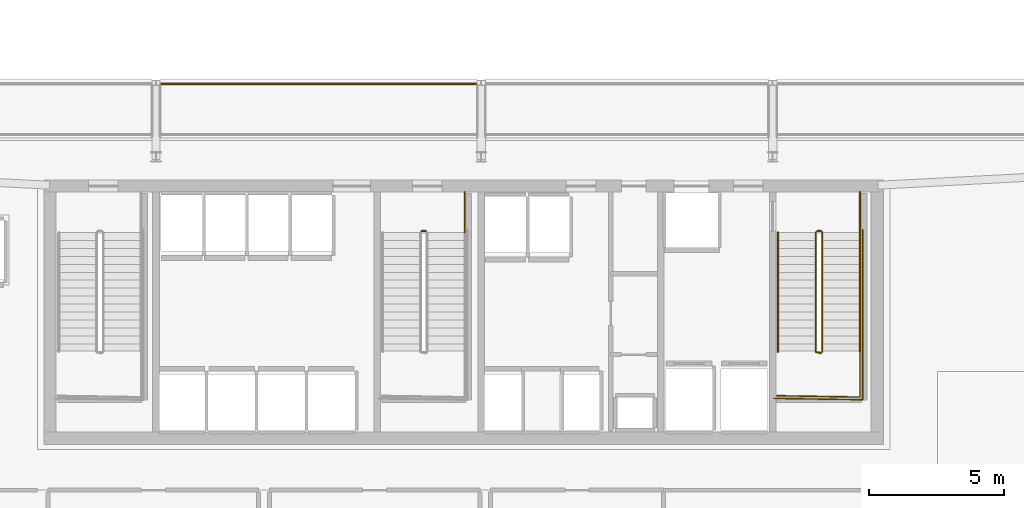
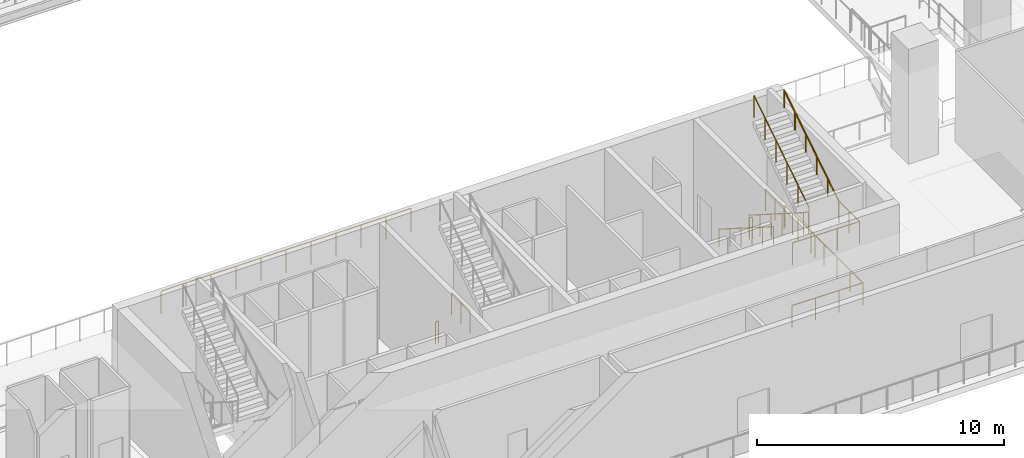
# One storey, part 19 of 28: 11 railings.
"""IFC4 building model written with IfcOpenShell, lengths in metres."""

import ifcopenshell
import ifcopenshell.guid

model = None  # the IFC model being written
_history = None  # IfcOwnerHistory: only IFC2X3 demands one
_inside = {}  # id of a spatial element -> (the spatial element, [elements in it])
_under = {}  # id of a project, library or spatial element -> (it, [spatial elements below it])
_declared = {}  # id of a project -> (the project, [libraries it declares])
_typed = {}  # id of a type object -> (the type object, [elements of that type])
_made_of = {}  # id of a material, layer set ... -> (it, [elements and type objects made of it])


def new_model(schema):
    """Start an empty IFC model of exactly this schema.

    Asked for "IFC4X3", IfcOpenShell would pick the latest addendum, in which some entities
    have other attributes; the version numbers below select the first issue.
    IFC2X3 requires an IfcOwnerHistory on every rooted entity: one is made here for all.
    """
    global model, _history
    if schema == "IFC4X3":
        model = ifcopenshell.file(schema_version=(4, 3, 0, 0))
    else:
        model = ifcopenshell.file(schema=schema)
    _inside.clear()
    _under.clear()
    _declared.clear()
    _typed.clear()
    _made_of.clear()
    _history = None
    if model.schema == "IFC2X3":
        org = make("IfcOrganization", Name="unknown")
        user = make(
            "IfcPersonAndOrganization",
            ThePerson=make("IfcPerson", FamilyName="unknown"),
            TheOrganization=org,
        )
        app = make(
            "IfcApplication",
            ApplicationDeveloper=org,
            Version="unknown",
            ApplicationFullName="unknown",
            ApplicationIdentifier="unknown",
        )
        _history = make(
            "IfcOwnerHistory",
            OwningUser=user,
            OwningApplication=app,
            ChangeAction="ADDED",
            CreationDate=0,
        )
    return model


def make(cls, **values):
    """One entity of the class cls with the attributes given. An attribute that is None is left unset."""
    return model.create_entity(
        cls, **{name: value for name, value in values.items() if value is not None}
    )


def rooted(cls, **values):
    """An entity with a GlobalId (a new one), such as an element, a storey or a relation."""
    return make(cls, GlobalId=ifcopenshell.guid.new(), OwnerHistory=_history, **values)


def si_unit(unit_type, name, prefix=None):
    """IfcSIUnit, for example si_unit("LENGTHUNIT", "METRE", prefix="MILLI")."""
    return make("IfcSIUnit", UnitType=unit_type, Prefix=prefix, Name=name)


def assignment(units):
    """IfcUnitAssignment: the units of a project."""
    return None if units is None else make("IfcUnitAssignment", Units=units)


def point(xyz):
    """IfcCartesianPoint."""
    return None if xyz is None else make("IfcCartesianPoint", Coordinates=xyz)


def direction(xyz):
    """IfcDirection."""
    return None if xyz is None else make("IfcDirection", DirectionRatios=xyz)


def frame(location, z_axis=None, x_axis=None):
    """IfcAxis2Placement3D, a coordinate frame: its origin and axes. An axis left out is left unset."""
    return make(
        "IfcAxis2Placement3D",
        Location=point(location),
        Axis=direction(z_axis),
        RefDirection=direction(x_axis),
    )


def frame_2d(location, x_axis=None):
    """IfcAxis2Placement2D, a coordinate frame in the plane: its origin and x axis."""
    return make(
        "IfcAxis2Placement2D", Location=point(location), RefDirection=direction(x_axis)
    )


def origin():
    """The frame at (0, 0, 0) with its axes left unset."""
    return frame((0.0, 0.0, 0.0))


def origin_2d():
    """The frame at (0, 0) in the plane with its x axis left unset."""
    return frame_2d((0.0, 0.0))


def place(relative_to, where):
    """IfcLocalPlacement: puts the frame where relative to a parent placement (None: the world)."""
    return make(
        "IfcLocalPlacement", PlacementRelTo=relative_to, RelativePlacement=where
    )


def context(
    kind, dimensions, precision=None, world=None, true_north=None, identifier=None
):
    """IfcGeometricRepresentationContext, for example the 3D "Model" context."""
    return make(
        "IfcGeometricRepresentationContext",
        ContextIdentifier=identifier,
        ContextType=kind,
        CoordinateSpaceDimension=dimensions,
        Precision=precision,
        WorldCoordinateSystem=world,
        TrueNorth=true_north,
    )


def subcontext(parent, identifier, kind, view, scale=None):
    """IfcGeometricRepresentationSubContext, for example "Body" below "Model"."""
    return make(
        "IfcGeometricRepresentationSubContext",
        ContextIdentifier=identifier,
        ContextType=kind,
        ParentContext=parent,
        TargetScale=scale,
        TargetView=view,
    )


def project(units=None, contexts=None):
    """IfcProject with its units and contexts."""
    return rooted(
        "IfcProject",
        Name="project",
        RepresentationContexts=contexts,
        UnitsInContext=assignment(units),
    )


def spatial(cls, under=None, at=None, **own):
    """A site, building, storey or space (cls), placed at a placement, below another one or the project."""
    s = rooted(cls, ObjectPlacement=at, **own)
    if under is not None:
        _under.setdefault(under.id(), (under, []))[1].append(s)
    return s


def profile(cls, at=None, kind="AREA", **sizes):
    """A parametric profile (cls). Its sizes go by their IFC names, for example OverallWidth=200.0."""
    return make(cls, ProfileType=kind, Position=at, **sizes)


def circle(**sizes):
    """IfcCircleProfileDef."""
    return profile("IfcCircleProfileDef", **sizes)


def extrude(swept, where, along, depth):
    """IfcExtrudedAreaSolid: the profile swept, set in the frame where, extruded along a direction by depth."""
    return make(
        "IfcExtrudedAreaSolid",
        SweptArea=swept,
        Position=where,
        ExtrudedDirection=direction(along),
        Depth=depth,
    )


def shape(context_of_items, identifier, shape_type, items):
    """IfcShapeRepresentation: the items that make up one representation, for example the "Body"."""
    return make(
        "IfcShapeRepresentation",
        ContextOfItems=context_of_items,
        RepresentationIdentifier=identifier,
        RepresentationType=shape_type,
        Items=items,
    )


def material(Name=None, Category=None):
    """IfcMaterial."""
    return make("IfcMaterial", Name=Name, Category=Category)


def layer(
    of_material, thickness, ventilated=None, Name=None, Category=None, Priority=None
):
    """IfcMaterialLayer: one layer of a wall or slab, of a material (None: an air gap)."""
    return make(
        "IfcMaterialLayer",
        Material=of_material,
        LayerThickness=thickness,
        IsVentilated=ventilated,
        Name=Name,
        Category=Category,
        Priority=Priority,
    )


def layer_set(layers, Name=None):
    """IfcMaterialLayerSet."""
    return make("IfcMaterialLayerSet", MaterialLayers=layers, LayerSetName=Name)


def made_of(thing, what):
    """Note that an element or type object is made of a material, layer set ...; save() writes the relation."""
    if what is not None:
        _made_of.setdefault(what.id(), (what, []))[1].append(thing)
    return thing


def type_object(cls, material=None, **own):
    """A type object (cls), such as IfcWallType, which elements share."""
    return made_of(rooted(cls, **own), material)


def element(
    cls,
    number,
    at=None,
    inside=None,
    cuts=None,
    type_object=None,
    material=None,
    context=None,
    identifier="Body",
    shape_type=None,
    held_by="IfcProductDefinitionShape",
    body=None,
    shapes=None,
    **own,
):
    """One element of the class cls, such as IfcWall. Its Tag is "e" and its number.

    at: its placement. inside: the storey or other place that contains it. cuts: it is an
    opening in that element (IfcRelVoidsElement). A single representation is given by context,
    identifier, shape_type and body (its items); several are given by shapes. held_by: the class
    of the entity that holds the representations. save() writes the other relations.
    """
    e = rooted(cls, Tag="e%d" % number, ObjectPlacement=at, **own)
    if body is not None:
        shapes = [shape(context, identifier, shape_type, body)]
    if shapes is not None:
        e.Representation = make(held_by, Representations=shapes)
    if inside is not None:
        _inside.setdefault(inside.id(), (inside, []))[1].append(e)
    if cuts is not None:
        rooted(
            "IfcRelVoidsElement", RelatingBuildingElement=cuts, RelatedOpeningElement=e
        )
    if type_object is not None:
        _typed.setdefault(type_object.id(), (type_object, []))[1].append(e)
    return made_of(e, material)


def aggregate(whole, parts):
    """IfcRelAggregates: a whole, such as a stair, and the parts it consists of."""
    return rooted("IfcRelAggregates", RelatingObject=whole, RelatedObjects=parts)


def save(model, path):
    """Write the relations noted so far, then the file.

    IfcRelAggregates (storeys below a building ...), IfcRelContainedInSpatialStructure (elements
    in a storey), IfcRelDefinesByType, IfcRelAssociatesMaterial and IfcRelDeclares: one each for
    every whole, place, type object, material and project.
    """
    for whole, parts in _under.values():
        aggregate(whole, parts)
    for where, things in _inside.values():
        rooted(
            "IfcRelContainedInSpatialStructure",
            RelatedElements=things,
            RelatingStructure=where,
        )
    for kind, things in _typed.values():
        rooted("IfcRelDefinesByType", RelatedObjects=things, RelatingType=kind)
    for what, things in _made_of.values():
        rooted("IfcRelAssociatesMaterial", RelatedObjects=things, RelatingMaterial=what)
    for by, libraries in _declared.values():
        rooted("IfcRelDeclares", RelatingContext=by, RelatedDefinitions=libraries)
    model.write(path)


model = new_model("IFC4")

# Units and contexts
model_context = context("Model", 3, precision=1e-05, world=origin(), true_north=direction((0.0, 1.0)))
body_context = subcontext(model_context, "Body", "Model", "MODEL_VIEW")
ifc_project = project(units=[si_unit("LENGTHUNIT", "METRE"), si_unit("AREAUNIT", "SQUARE_METRE"), si_unit("VOLUMEUNIT", "CUBIC_METRE"), si_unit("PLANEANGLEUNIT", "RADIAN"), si_unit("MASSUNIT", "GRAM", prefix="KILO")], contexts=[model_context])

# Site, building, storey
site_placement = place(None, origin())
site = spatial("IfcSite", under=ifc_project, at=site_placement, CompositionType="ELEMENT")
building_placement = place(site_placement, origin())
building = spatial("IfcBuilding", under=site, at=building_placement, Name="Ndaravel Arena Tower", CompositionType="ELEMENT")
storey_placement = place(building_placement, frame((0.0, 0.0, 18.0)))
storey = spatial("IfcBuildingStorey", under=building, at=storey_placement, Name="L03", CompositionType="ELEMENT", Elevation=18.0)

# Railings
ifc_material_1 = material(Name="Steel S355", Category="steel")
ifc_layer_1 = layer(ifc_material_1, 0.06005859375)
ifc_layer_set_1 = layer_set([ifc_layer_1], Name="Steel S355")
railing_type_1 = type_object("IfcRailingType", Name="RAIL-STAIR-GD1100", PredefinedType="GUARDRAIL", material=ifc_layer_set_1)
railing_1_placement = place(storey_placement, frame((40.449951171875, 13.300048828125, 0.0)))
element("IfcRailing", 1, at=railing_1_placement, inside=storey, type_object=railing_type_1, Name="L03 ST-2 stair guard 4", PredefinedType="GUARDRAIL", context=body_context, shape_type="SweptSolid", body=[
    extrude(circle(Radius=0.02392578125, at=origin_2d()), frame((0.0, 0.0, 1.076171875), z_axis=(1.0, 0.0, 0.0), x_axis=(0.0, 1.0, 0.0)), (0.0, 0.0, 1.0), 0.14013671875),
    extrude(circle(Radius=0.02099609375, at=origin_2d()), origin(), (0.0, 0.0, 1.0), 1.052001953125),
    extrude(circle(Radius=0.02099609375, at=origin_2d()), frame((0.14013671875, 0.0, 0.0)), (0.0, 0.0, 1.0), 1.052001953125),
])
railing_2_placement = place(storey_placement, frame((42.0400390625, 14.75, 0.0)))
element("IfcRailing", 2, at=railing_2_placement, inside=storey, type_object=railing_type_1, Name="L03 ST-2 stair guard 5", PredefinedType="GUARDRAIL", context=body_context, shape_type="SweptSolid", body=[
    extrude(circle(Radius=0.02392578125, at=origin_2d()), frame((0.0, 0.0, 1.076171875), z_axis=(0.0, -1.0, 0.0), x_axis=(1.0, 0.0, 0.0)), (0.0, 0.0, 1.0), 1.5),
    extrude(circle(Radius=0.02099609375, at=origin_2d()), origin(), (0.0, 0.0, 1.0), 1.052001953125),
    extrude(circle(Radius=0.02099609375, at=origin_2d()), frame((0.0, -0.75, 0.0)), (0.0, 0.0, 1.0), 1.052001953125),
    extrude(circle(Radius=0.02099609375, at=origin_2d()), frame((0.0, -1.5, 0.0)), (0.0, 0.0, 1.0), 1.052001953125),
])
railing_3_placement = place(storey_placement, frame((55.050048828125, 13.25, 0.1875)))
element("IfcRailing", 3, at=railing_3_placement, inside=storey, type_object=railing_type_1, Name="L03 ST-3 stair guard 1", PredefinedType="GUARDRAIL", context=body_context, shape_type="SweptSolid", body=[
    extrude(circle(Radius=0.02392578125, at=origin_2d()), frame((0.0, 0.0, 1.076171875), z_axis=(0.0, -0.843958541447, 0.536408408136), x_axis=(1.0, 0.0, 0.0)), (0.0, 0.0, 1.0), 5.2431640625),
    extrude(circle(Radius=0.02392578125, at=origin_2d()), frame((0.0, -4.425048828125, 3.888671875), z_axis=(0.966993988697, -0.254799187253, 0.0), x_axis=(0.254799187253, 0.966993988697, 0.0)), (0.0, 0.0, 1.0), 0.196533203125),
    extrude(circle(Radius=0.02099609375, at=origin_2d()), origin(), (0.0, 0.0, 1.0), 1.052001953125),
    extrude(circle(Radius=0.02099609375, at=origin_2d()), frame((0.0, -0.885009765625, 0.5625)), (0.0, 0.0, 1.0), 1.052001953125),
    extrude(circle(Radius=0.02099609375, at=origin_2d()), frame((0.0, -1.77001953125, 1.125)), (0.0, 0.0, 1.0), 1.052001953125),
    extrude(circle(Radius=0.02099609375, at=origin_2d()), frame((0.0, -2.655029296875, 1.6875)), (0.0, 0.0, 1.0), 1.052001953125),
    extrude(circle(Radius=0.02099609375, at=origin_2d()), frame((0.0, -3.5400390625, 2.25)), (0.0, 0.0, 1.0), 1.052001953125),
    extrude(circle(Radius=0.02099609375, at=origin_2d()), frame((0.0, -4.425048828125, 2.8125)), (0.0, 0.0, 1.0), 1.052001953125),
    extrude(circle(Radius=0.02099609375, at=origin_2d()), frame((0.18994140625, -4.47509765625, 2.8125)), (0.0, 0.0, 1.0), 1.052001953125),
])
railing_4_placement = place(storey_placement, frame((56.68994140625, 8.824951171875, 3.0)))
element("IfcRailing", 4, at=railing_4_placement, inside=storey, type_object=railing_type_1, Name="L03 ST-3 stair guard 2", PredefinedType="GUARDRAIL", context=body_context, shape_type="SweptSolid", body=[
    extrude(circle(Radius=0.02392578125, at=origin_2d()), frame((0.0, 0.0, 1.076171875), z_axis=(0.0, -1.0, 0.0), x_axis=(1.0, 0.0, 0.0)), (0.0, 0.0, 1.0), 1.675048828125),
    extrude(circle(Radius=0.02392578125, at=origin_2d()), frame((0.0, -1.675048828125, 1.076171875), z_axis=(-0.999868840623, 0.016195726322, 0.0), x_axis=(-0.016195726322, -0.999868840623, 0.0)), (0.0, 0.0, 1.0), 3.09033203125),
    extrude(circle(Radius=0.02099609375, at=origin_2d()), origin(), (0.0, 0.0, 1.0), 1.052001953125),
    extrude(circle(Radius=0.02099609375, at=origin_2d()), frame((0.0, -0.83740234375, 0.0)), (0.0, 0.0, 1.0), 1.052001953125),
    extrude(circle(Radius=0.02099609375, at=origin_2d()), frame((0.0, -1.675048828125, 0.0)), (0.0, 0.0, 1.0), 1.052001953125),
    extrude(circle(Radius=0.02099609375, at=origin_2d()), frame((-1.030029296875, -1.658447265625, 0.0)), (0.0, 0.0, 1.0), 1.052001953125),
    extrude(circle(Radius=0.02099609375, at=origin_2d()), frame((-2.059814453125, -1.6416015625, 0.0)), (0.0, 0.0, 1.0), 1.052001953125),
    extrude(circle(Radius=0.02099609375, at=origin_2d()), frame((-3.08984375, -1.625, 0.0)), (0.0, 0.0, 1.0), 1.052001953125),
])
railing_5_placement = place(storey_placement, frame((55.2900390625, 8.824951171875, 3.1875)))
element("IfcRailing", 5, at=railing_5_placement, inside=storey, type_object=railing_type_1, Name="L03 ST-3 stair guard 3", PredefinedType="GUARDRAIL", context=body_context, shape_type="SweptSolid", body=[
    extrude(circle(Radius=0.02392578125, at=origin_2d()), frame((0.0, 0.0, 1.076171875), z_axis=(0.0, 0.843958541447, 0.536408408136), x_axis=(-1.0, 0.0, 0.0)), (0.0, 0.0, 1.0), 5.2431640625),
    extrude(circle(Radius=0.02099609375, at=origin_2d()), origin(), (0.0, 0.0, 1.0), 1.052001953125),
    extrude(circle(Radius=0.02099609375, at=origin_2d()), frame((0.0, 0.885009765625, 0.5625)), (0.0, 0.0, 1.0), 1.052001953125),
    extrude(circle(Radius=0.02099609375, at=origin_2d()), frame((0.0, 1.77001953125, 1.125)), (0.0, 0.0, 1.0), 1.052001953125),
    extrude(circle(Radius=0.02099609375, at=origin_2d()), frame((0.0, 2.655029296875, 1.6875)), (0.0, 0.0, 1.0), 1.052001953125),
    extrude(circle(Radius=0.02099609375, at=origin_2d()), frame((0.0, 3.5400390625, 2.25)), (0.0, 0.0, 1.0), 1.052001953125),
    extrude(circle(Radius=0.02099609375, at=origin_2d()), frame((0.0, 4.425048828125, 2.8125)), (0.0, 0.0, 1.0), 1.052001953125),
])
railing_6_placement = place(storey_placement, frame((55.10009765625, 13.300048828125, 0.0)))
element("IfcRailing", 6, at=railing_6_placement, inside=storey, type_object=railing_type_1, Name="L03 ST-3 stair guard 4", PredefinedType="GUARDRAIL", context=body_context, shape_type="SweptSolid", body=[
    extrude(circle(Radius=0.02392578125, at=origin_2d()), frame((0.0, 0.0, 1.076171875), z_axis=(1.0, 0.0, 0.0), x_axis=(0.0, 1.0, 0.0)), (0.0, 0.0, 1.0), 0.139892578125),
    extrude(circle(Radius=0.02099609375, at=origin_2d()), origin(), (0.0, 0.0, 1.0), 1.052001953125),
    extrude(circle(Radius=0.02099609375, at=origin_2d()), frame((0.139892578125, 0.0, 0.0)), (0.0, 0.0, 1.0), 1.052001953125),
])
railing_7_placement = place(storey_placement, frame((56.68994140625, 14.75, 0.0)))
element("IfcRailing", 7, at=railing_7_placement, inside=storey, type_object=railing_type_1, Name="L03 ST-3 stair guard 5", PredefinedType="GUARDRAIL", context=body_context, shape_type="SweptSolid", body=[
    extrude(circle(Radius=0.02392578125, at=origin_2d()), frame((0.0, 0.0, 1.076171875), z_axis=(0.0, -1.0, 0.0), x_axis=(1.0, 0.0, 0.0)), (0.0, 0.0, 1.0), 1.5),
    extrude(circle(Radius=0.02099609375, at=origin_2d()), origin(), (0.0, 0.0, 1.0), 1.052001953125),
    extrude(circle(Radius=0.02099609375, at=origin_2d()), frame((0.0, -0.75, 0.0)), (0.0, 0.0, 1.0), 1.052001953125),
    extrude(circle(Radius=0.02099609375, at=origin_2d()), frame((0.0, -1.5, 0.0)), (0.0, 0.0, 1.0), 1.052001953125),
])
railing_8_placement = place(storey_placement, frame((56.7900390625, 13.35009765625, 0.0)))
element("IfcRailing", 8, at=railing_8_placement, inside=storey, type_object=railing_type_1, Name="L03 ST-3 stair guard 6", PredefinedType="GUARDRAIL", context=body_context, shape_type="SweptSolid", body=[
    extrude(circle(Radius=0.02392578125, at=origin_2d()), frame((0.0, 0.0, 1.076171875), z_axis=(0.0, -1.0, 0.0), x_axis=(1.0, 0.0, 0.0)), (0.0, 0.0, 1.0), 6.300048828125),
    extrude(circle(Radius=0.02392578125, at=origin_2d()), frame((0.0, -6.300048828125, 1.076171875), z_axis=(-0.99988431412, 0.015210469308, 0.0), x_axis=(-0.015210469308, -0.99988431412, 0.0)), (0.0, 0.0, 1.0), 3.29052734375),
    extrude(circle(Radius=0.02099609375, at=origin_2d()), origin(), (0.0, 0.0, 1.0), 1.052001953125),
    extrude(circle(Radius=0.02099609375, at=origin_2d()), frame((0.0, -1.050048828125, 0.0)), (0.0, 0.0, 1.0), 1.052001953125),
    extrude(circle(Radius=0.02099609375, at=origin_2d()), frame((0.0, -2.10009765625, 0.0)), (0.0, 0.0, 1.0), 1.052001953125),
    extrude(circle(Radius=0.02099609375, at=origin_2d()), frame((0.0, -3.14990234375, 0.0)), (0.0, 0.0, 1.0), 1.052001953125),
    extrude(circle(Radius=0.02099609375, at=origin_2d()), frame((0.0, -4.199951171875, 0.0)), (0.0, 0.0, 1.0), 1.052001953125),
    extrude(circle(Radius=0.02099609375, at=origin_2d()), frame((0.0, -5.25, 0.0)), (0.0, 0.0, 1.0), 1.052001953125),
    extrude(circle(Radius=0.02099609375, at=origin_2d()), frame((0.0, -6.300048828125, 0.0)), (0.0, 0.0, 1.0), 1.052001953125),
    extrude(circle(Radius=0.02099609375, at=origin_2d()), frame((-1.0966796875, -6.283447265625, 0.0)), (0.0, 0.0, 1.0), 1.052001953125),
    extrude(circle(Radius=0.02099609375, at=origin_2d()), frame((-2.193359375, -6.2666015625, 0.0)), (0.0, 0.0, 1.0), 1.052001953125),
    extrude(circle(Radius=0.02099609375, at=origin_2d()), frame((-3.2900390625, -6.25, 0.0)), (0.0, 0.0, 1.0), 1.052001953125),
])
ifc_material_2 = material(Name="Steel S355", Category="steel")
ifc_layer_2 = layer(ifc_material_2, 0.050048828125)
ifc_layer_set_2 = layer_set([ifc_layer_2], Name="Steel S355")
railing_type_2 = type_object("IfcRailingType", Name="RAIL-STAIR-HR920", PredefinedType="HANDRAIL", material=ifc_layer_set_2)
railing_9_placement = place(storey_placement, frame((53.64990234375, 13.25, 0.1875)))
element("IfcRailing", 9, at=railing_9_placement, inside=storey, type_object=railing_type_2, Name="L03 ST-3 stair handrail 1", PredefinedType="HANDRAIL", context=body_context, shape_type="SweptSolid", body=[
    extrude(circle(Radius=0.02392578125, at=origin_2d()), frame((0.0, 0.0, 0.8759765625), z_axis=(0.0, -0.843958541447, 0.536408408136), x_axis=(1.0, 0.0, 0.0)), (0.0, 0.0, 1.0), 5.2431640625),
    extrude(circle(Radius=0.02099609375, at=origin_2d()), origin(), (0.0, 0.0, 1.0), 0.851806640625),
    extrude(circle(Radius=0.02099609375, at=origin_2d()), frame((0.0, -0.885009765625, 0.5625)), (0.0, 0.0, 1.0), 0.851806640625),
    extrude(circle(Radius=0.02099609375, at=origin_2d()), frame((0.0, -1.77001953125, 1.125)), (0.0, 0.0, 1.0), 0.851806640625),
    extrude(circle(Radius=0.02099609375, at=origin_2d()), frame((0.0, -2.655029296875, 1.6875)), (0.0, 0.0, 1.0), 0.851806640625),
    extrude(circle(Radius=0.02099609375, at=origin_2d()), frame((0.0, -3.5400390625, 2.25)), (0.0, 0.0, 1.0), 0.851806640625),
    extrude(circle(Radius=0.02099609375, at=origin_2d()), frame((0.0, -4.425048828125, 2.8125)), (0.0, 0.0, 1.0), 0.851806640625),
])
railing_10_placement = place(storey_placement, frame((56.68994140625, 8.824951171875, 3.1875)))
element("IfcRailing", 10, at=railing_10_placement, inside=storey, type_object=railing_type_2, Name="L03 ST-3 stair handrail 2", PredefinedType="HANDRAIL", context=body_context, shape_type="SweptSolid", body=[
    extrude(circle(Radius=0.02392578125, at=origin_2d()), frame((0.0, 0.0, 0.8759765625), z_axis=(0.0, 0.843958541447, 0.536408408136), x_axis=(-1.0, 0.0, 0.0)), (0.0, 0.0, 1.0), 5.2431640625),
    extrude(circle(Radius=0.02099609375, at=origin_2d()), origin(), (0.0, 0.0, 1.0), 0.851806640625),
    extrude(circle(Radius=0.02099609375, at=origin_2d()), frame((0.0, 0.885009765625, 0.5625)), (0.0, 0.0, 1.0), 0.851806640625),
    extrude(circle(Radius=0.02099609375, at=origin_2d()), frame((0.0, 1.77001953125, 1.125)), (0.0, 0.0, 1.0), 0.851806640625),
    extrude(circle(Radius=0.02099609375, at=origin_2d()), frame((0.0, 2.655029296875, 1.6875)), (0.0, 0.0, 1.0), 0.851806640625),
    extrude(circle(Radius=0.02099609375, at=origin_2d()), frame((0.0, 3.5400390625, 2.25)), (0.0, 0.0, 1.0), 0.851806640625),
    extrude(circle(Radius=0.02099609375, at=origin_2d()), frame((0.0, 4.425048828125, 2.8125)), (0.0, 0.0, 1.0), 0.851806640625),
])
ifc_material_3 = material(Name="Glazing", Category="glass")
ifc_layer_3 = layer(ifc_material_3, 0.070068359375)
ifc_layer_set_3 = layer_set([ifc_layer_3], Name="Glazing")
railing_type_3 = type_object("IfcRailingType", Name="RAIL-TERRACE-1150", PredefinedType="BALUSTRADE", material=ifc_layer_set_3)
railing_11_placement = place(storey_placement, frame((30.7900390625, 18.75, 1.550048828125)))
element("IfcRailing", 11, at=railing_11_placement, inside=storey, type_object=railing_type_3, Name="L03 Upper South Stand Guard 2F", PredefinedType="BALUSTRADE", context=body_context, shape_type="SweptSolid", body=[
    extrude(circle(Radius=0.02392578125, at=origin_2d()), frame((0.0, 0.0, 1.1259765625), z_axis=(1.0, 0.0, 0.0), x_axis=(0.0, 1.0, 0.0)), (0.0, 0.0, 1.0), 11.669921875),
    extrude(circle(Radius=0.02099609375, at=origin_2d()), origin(), (0.0, 0.0, 1.0), 1.101806640625),
    extrude(circle(Radius=0.02099609375, at=origin_2d()), frame((1.1669921875, 0.0, 0.0)), (0.0, 0.0, 1.0), 1.101806640625),
    extrude(circle(Radius=0.02099609375, at=origin_2d()), frame((2.333984375, 0.0, 0.0)), (0.0, 0.0, 1.0), 1.101806640625),
    extrude(circle(Radius=0.02099609375, at=origin_2d()), frame((3.5009765625, 0.0, 0.0)), (0.0, 0.0, 1.0), 1.101806640625),
    extrude(circle(Radius=0.02099609375, at=origin_2d()), frame((4.66796875, 0.0, 0.0)), (0.0, 0.0, 1.0), 1.101806640625),
    extrude(circle(Radius=0.02099609375, at=origin_2d()), frame((5.8349609375, 0.0, 0.0)), (0.0, 0.0, 1.0), 1.101806640625),
    extrude(circle(Radius=0.02099609375, at=origin_2d()), frame((7.001953125, 0.0, 0.0)), (0.0, 0.0, 1.0), 1.101806640625),
    extrude(circle(Radius=0.02099609375, at=origin_2d()), frame((8.1689453125, 0.0, 0.0)), (0.0, 0.0, 1.0), 1.101806640625),
    extrude(circle(Radius=0.02099609375, at=origin_2d()), frame((9.3359375, 0.0, 0.0)), (0.0, 0.0, 1.0), 1.101806640625),
    extrude(circle(Radius=0.02099609375, at=origin_2d()), frame((10.5029296875, 0.0, 0.0)), (0.0, 0.0, 1.0), 1.101806640625),
    extrude(circle(Radius=0.02099609375, at=origin_2d()), frame((11.669921875, 0.0, 0.0)), (0.0, 0.0, 1.0), 1.101806640625),
])

save(model, "model.ifc")
